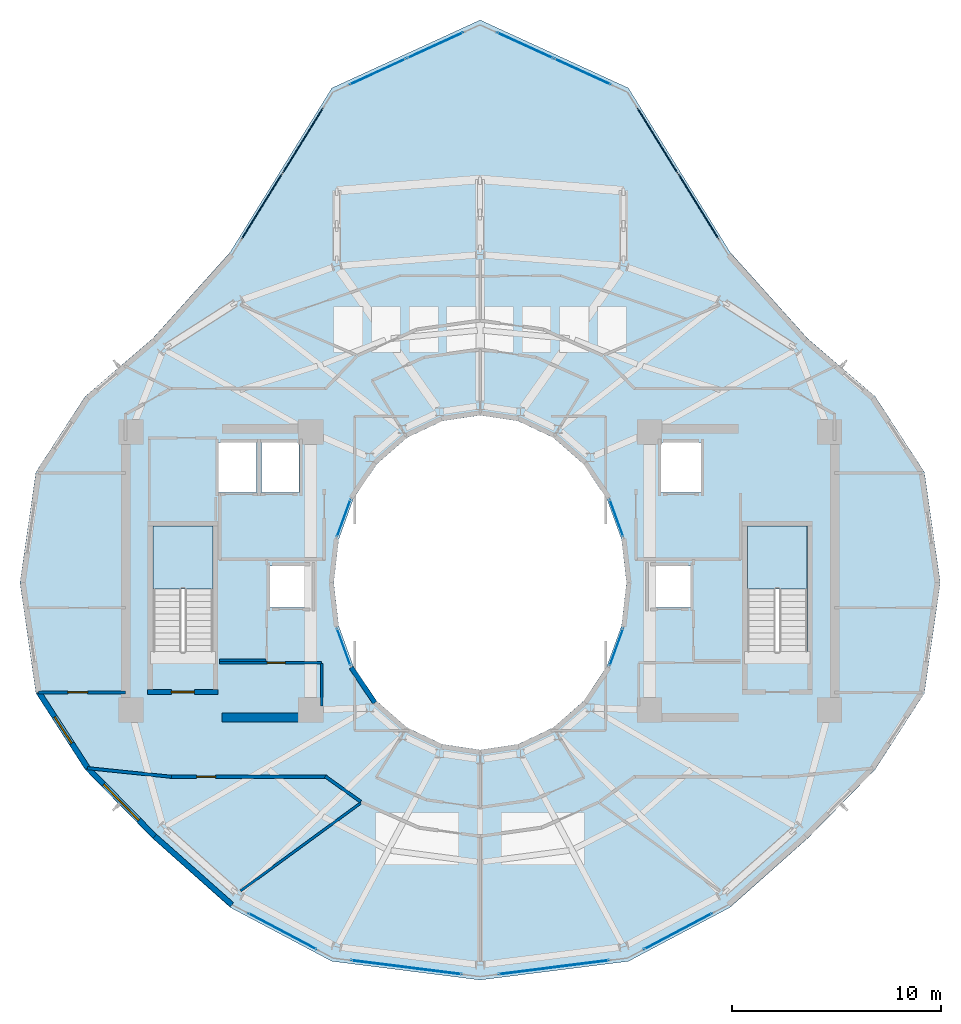
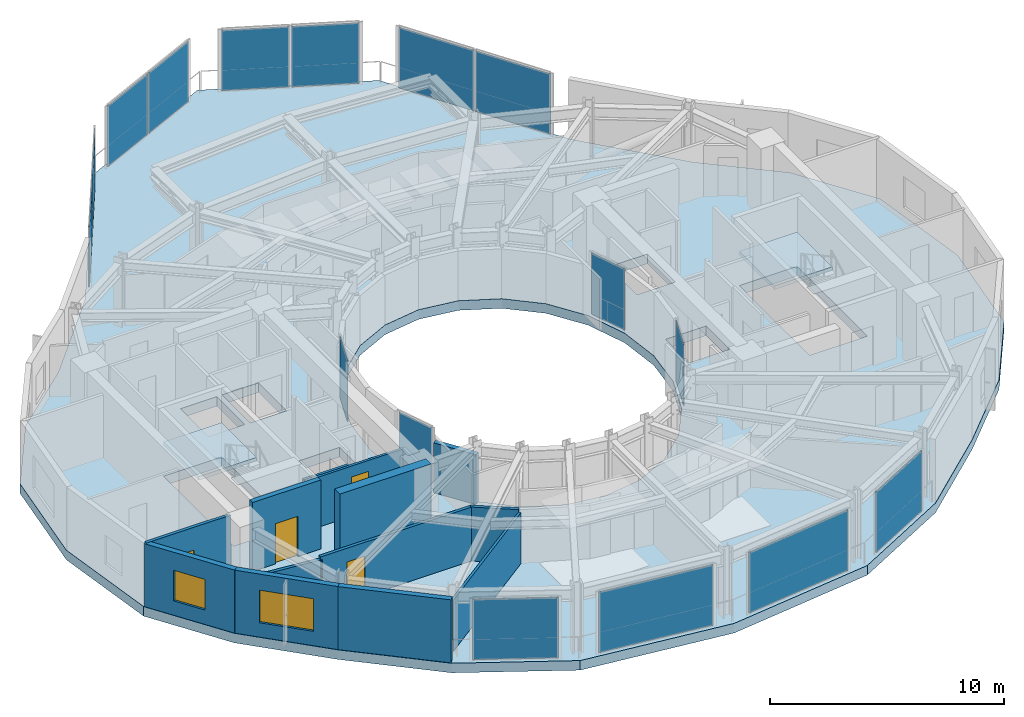
# One storey, part 17 of 25: 16 plates, 14 walls, 4 doors, 3 slabs, 2 windows, 6 openings, 14 elements without a shape of their own.
"""IFC4 building model written with IfcOpenShell, lengths in metres."""

from ifc_helpers import new_model, si_unit, direction, frame, frame_2d, origin, origin_2d, place, context, subcontext, project, spatial, polyline, rectangle, outline, extrude, material, layer, layer_set, type_object, element, fill, aggregate, save


model = new_model("IFC4")

# Units and contexts
model_context = context("Model", 3, precision=1e-05, world=origin(), true_north=direction((0.0, 1.0)))
body_context = subcontext(model_context, "Body", "Model", "MODEL_VIEW")
ifc_project = project(units=[si_unit("LENGTHUNIT", "METRE"), si_unit("AREAUNIT", "SQUARE_METRE"), si_unit("VOLUMEUNIT", "CUBIC_METRE"), si_unit("PLANEANGLEUNIT", "RADIAN"), si_unit("MASSUNIT", "GRAM", prefix="KILO")], contexts=[model_context])

# Site, building, storey
site_placement = place(None, origin())
site = spatial("IfcSite", under=ifc_project, at=site_placement, CompositionType="ELEMENT")
building_placement = place(site_placement, origin())
building = spatial("IfcBuilding", under=site, at=building_placement, Name="Solvane Sanctuary Tower", CompositionType="ELEMENT")
storey_placement = place(building_placement, frame((0.0, 0.0, 238.800048828125)))
storey = spatial("IfcBuildingStorey", under=building, at=storey_placement, Name="L73", CompositionType="ELEMENT", Elevation=238.800048828125)

# Curtain wall, plates
ifc_material_1 = material(Name="Anodised Aluminium 6063-T6", Category="aluminium")
ifc_layer_1 = layer(ifc_material_1, 0.18994140625, Name="Anodised Aluminium 6063-T6")
ifc_layer_set_1 = layer_set([ifc_layer_1], Name="Anodised Aluminium 6063-T6")
curtain_wall_type_1 = type_object("IfcCurtainWallType", Name="Curtain Wall CW-OPER", PredefinedType="NOTDEFINED", material=ifc_layer_set_1)
curtain_wall_1_placement = place(storey_placement, origin())
curtain_wall_1 = element("IfcCurtainWall", 1, at=curtain_wall_1_placement, inside=storey, type_object=curtain_wall_type_1, Name="L73 CW-OPER Facade Run 04", PredefinedType="NOTDEFINED")
ifc_material_2 = material(Name="Dark Ceramic-Fritted Low-E Glass", Category="glass")
ifc_layer_2 = layer(ifc_material_2, 0.0419921875, Name="Dark Ceramic-Fritted Low-E Glass")
ifc_layer_set_2 = layer_set([ifc_layer_2], Name="Dark Ceramic-Fritted Low-E Glass")
plate_type_1 = type_object("IfcPlateType", Name="Plate PN-OPER-VENT", PredefinedType="CURTAIN_PANEL", material=ifc_layer_set_2)
plate_1_placement = place(storey_placement, frame((42.437255859375, 40.978515625, 0.06494140625), z_axis=(0.0, 0.0, 1.0), x_axis=(-0.527391688453, 0.849622273102, 0.0)))
plate_1 = element("IfcPlate", 2, at=plate_1_placement, type_object=plate_type_1, Name="CW-OPER panel 1.1", PredefinedType="CURTAIN_PANEL", context=body_context, shape_type="SweptSolid", body=[
    extrude(rectangle(XDim=3.643798828125, YDim=0.0419921875, at=origin_2d()), origin(), (0.0, 0.0, 1.0), 3.14990234375),
])
plate_2_placement = place(storey_placement, frame((40.475830078125, 44.137939453125, 0.06494140625), z_axis=(0.0, 0.0, 1.0), x_axis=(-0.527391688453, 0.849622273102, 0.0)))
plate_2 = element("IfcPlate", 3, at=plate_2_placement, type_object=plate_type_1, Name="CW-OPER panel 2.1", PredefinedType="CURTAIN_PANEL", context=body_context, shape_type="SweptSolid", body=[
    extrude(rectangle(XDim=3.643798828125, YDim=0.0419921875, at=origin_2d()), origin(), (0.0, 0.0, 1.0), 3.14990234375),
])
aggregate(curtain_wall_1, [plate_1, plate_2])

curtain_wall_2_placement = place(storey_placement, origin())
curtain_wall_2 = element("IfcCurtainWall", 4, at=curtain_wall_2_placement, inside=storey, type_object=curtain_wall_type_1, Name="L73 CW-OPER Facade Run 05", PredefinedType="NOTDEFINED")
plate_3_placement = place(storey_placement, frame((36.892333984375, 47.430908203125, 0.06494140625), z_axis=(0.0, 0.0, 1.0), x_axis=(-0.909261677661, 0.416224941032, 0.0)))
plate_3 = element("IfcPlate", 5, at=plate_3_placement, type_object=plate_type_1, Name="CW-OPER panel 1.1", PredefinedType="CURTAIN_PANEL", context=body_context, shape_type="SweptSolid", body=[
    extrude(rectangle(XDim=2.9404296875, YDim=0.0419921875, at=origin_2d()), origin(), (0.0, 0.0, 1.0), 3.14990234375),
])
plate_4_placement = place(storey_placement, frame((34.150634765625, 48.68603515625, 0.06494140625), z_axis=(0.0, 0.0, 1.0), x_axis=(-0.909261677661, 0.416224941032, 0.0)))
plate_4 = element("IfcPlate", 6, at=plate_4_placement, type_object=plate_type_1, Name="CW-OPER panel 2.1", PredefinedType="CURTAIN_PANEL", context=body_context, shape_type="SweptSolid", body=[
    extrude(rectangle(XDim=2.9404296875, YDim=0.0419921875, at=origin_2d()), origin(), (0.0, 0.0, 1.0), 3.14990234375),
])
aggregate(curtain_wall_2, [plate_3, plate_4])

curtain_wall_3_placement = place(storey_placement, origin())
curtain_wall_3 = element("IfcCurtainWall", 7, at=curtain_wall_3_placement, inside=storey, type_object=curtain_wall_type_1, Name="L73 CW-OPER Facade Run 06", PredefinedType="NOTDEFINED")
plate_5_placement = place(storey_placement, frame((29.849365234375, 48.68603515625, 0.06494140625), z_axis=(0.0, 0.0, 1.0), x_axis=(-0.909261677661, -0.416224941032, 0.0)))
plate_5 = element("IfcPlate", 8, at=plate_5_placement, type_object=plate_type_1, Name="CW-OPER panel 1.1", PredefinedType="CURTAIN_PANEL", context=body_context, shape_type="SweptSolid", body=[
    extrude(rectangle(XDim=2.9404296875, YDim=0.0419921875, at=origin_2d()), origin(), (0.0, 0.0, 1.0), 3.14990234375),
])
plate_6_placement = place(storey_placement, frame((27.107666015625, 47.430908203125, 0.06494140625), z_axis=(0.0, 0.0, 1.0), x_axis=(-0.909261677661, -0.416224941032, 0.0)))
plate_6 = element("IfcPlate", 9, at=plate_6_placement, type_object=plate_type_1, Name="CW-OPER panel 2.1", PredefinedType="CURTAIN_PANEL", context=body_context, shape_type="SweptSolid", body=[
    extrude(rectangle(XDim=2.9404296875, YDim=0.0419921875, at=origin_2d()), origin(), (0.0, 0.0, 1.0), 3.14990234375),
])
aggregate(curtain_wall_3, [plate_5, plate_6])

curtain_wall_4_placement = place(storey_placement, origin())
curtain_wall_4 = element("IfcCurtainWall", 10, at=curtain_wall_4_placement, inside=storey, type_object=curtain_wall_type_1, Name="L73 CW-OPER Facade Run 07", PredefinedType="NOTDEFINED")
plate_7_placement = place(storey_placement, frame((23.524169921875, 44.137939453125, 0.06494140625), z_axis=(0.0, 0.0, 1.0), x_axis=(-0.527391688453, -0.849622273102, 0.0)))
plate_7 = element("IfcPlate", 11, at=plate_7_placement, type_object=plate_type_1, Name="CW-OPER panel 1.1", PredefinedType="CURTAIN_PANEL", context=body_context, shape_type="SweptSolid", body=[
    extrude(rectangle(XDim=3.643798828125, YDim=0.0419921875, at=origin_2d()), origin(), (0.0, 0.0, 1.0), 3.14990234375),
])
plate_8_placement = place(storey_placement, frame((21.562744140625, 40.978515625, 0.06494140625), z_axis=(0.0, 0.0, 1.0), x_axis=(-0.527391688453, -0.849622273102, 0.0)))
plate_8 = element("IfcPlate", 12, at=plate_8_placement, type_object=plate_type_1, Name="CW-OPER panel 2.1", PredefinedType="CURTAIN_PANEL", context=body_context, shape_type="SweptSolid", body=[
    extrude(rectangle(XDim=3.643798828125, YDim=0.0419921875, at=origin_2d()), origin(), (0.0, 0.0, 1.0), 3.14990234375),
])
aggregate(curtain_wall_4, [plate_7, plate_8])

# Curtain wall, plate
curtain_wall_5_placement = place(storey_placement, origin())
curtain_wall_5 = element("IfcCurtainWall", 13, at=curtain_wall_5_placement, inside=storey, type_object=curtain_wall_type_1, Name="L73 CW-OPER Facade Run 16", PredefinedType="NOTDEFINED")
plate_9_placement = place(storey_placement, frame((22.54345703125, 6.324462890625, 0.06494140625), z_axis=(0.0, 0.0, 1.0), x_axis=(0.883980752049, -0.467523293544, 0.0)))
plate_9 = element("IfcPlate", 14, at=plate_9_placement, type_object=plate_type_1, Name="CW-OPER panel 1.1", PredefinedType="CURTAIN_PANEL", context=body_context, shape_type="SweptSolid", body=[
    extrude(rectangle(XDim=3.670654296875, YDim=0.0419921875, at=origin_2d()), origin(), (0.0, 0.0, 1.0), 3.14990234375),
])
aggregate(curtain_wall_5, [plate_9])

curtain_wall_6_placement = place(storey_placement, origin())
curtain_wall_6 = element("IfcCurtainWall", 15, at=curtain_wall_6_placement, inside=storey, type_object=curtain_wall_type_1, Name="L73 CW-OPER Facade Run 17", PredefinedType="NOTDEFINED")
plate_10_placement = place(storey_placement, frame((28.478515625, 4.605224609375, 0.06494140625), z_axis=(0.0, 0.0, 1.0), x_axis=(0.992180050716, -0.124814850727, 0.0)))
plate_10 = element("IfcPlate", 16, at=plate_10_placement, type_object=plate_type_1, Name="CW-OPER panel 1.1", PredefinedType="CURTAIN_PANEL", context=body_context, shape_type="SweptSolid", body=[
    extrude(rectangle(XDim=5.30859375, YDim=0.0419921875, at=origin_2d()), origin(), (0.0, 0.0, 1.0), 3.14990234375),
])
aggregate(curtain_wall_6, [plate_10])

curtain_wall_7_placement = place(storey_placement, origin())
curtain_wall_7 = element("IfcCurtainWall", 17, at=curtain_wall_7_placement, inside=storey, type_object=curtain_wall_type_1, Name="L73 CW-OPER Facade Run 18", PredefinedType="NOTDEFINED")
plate_11_placement = place(storey_placement, frame((35.521484375, 4.605224609375, 0.06494140625), z_axis=(0.0, 0.0, 1.0), x_axis=(0.992180050716, 0.124814850727, 0.0)))
plate_11 = element("IfcPlate", 18, at=plate_11_placement, type_object=plate_type_1, Name="CW-OPER panel 1.1", PredefinedType="CURTAIN_PANEL", context=body_context, shape_type="SweptSolid", body=[
    extrude(rectangle(XDim=5.30859375, YDim=0.0419921875, at=origin_2d()), origin(), (0.0, 0.0, 1.0), 3.14990234375),
])
aggregate(curtain_wall_7, [plate_11])

curtain_wall_8_placement = place(storey_placement, origin())
curtain_wall_8 = element("IfcCurtainWall", 19, at=curtain_wall_8_placement, inside=storey, type_object=curtain_wall_type_1, Name="L73 CW-OPER Facade Run 19", PredefinedType="NOTDEFINED")
plate_12_placement = place(storey_placement, frame((41.45654296875, 6.324462890625, 0.06494140625), z_axis=(0.0, 0.0, 1.0), x_axis=(0.883980752049, 0.467523293544, 0.0)))
plate_12 = element("IfcPlate", 20, at=plate_12_placement, type_object=plate_type_1, Name="CW-OPER panel 1.1", PredefinedType="CURTAIN_PANEL", context=body_context, shape_type="SweptSolid", body=[
    extrude(rectangle(XDim=3.670654296875, YDim=0.0419921875, at=origin_2d()), origin(), (0.0, 0.0, 1.0), 3.14990234375),
])
aggregate(curtain_wall_8, [plate_12])

ifc_layer_3 = layer(ifc_material_1, 0.199951171875, Name="Anodised Aluminium 6063-T6")
ifc_layer_set_3 = layer_set([ifc_layer_3], Name="Anodised Aluminium 6063-T6")
curtain_wall_type_2 = type_object("IfcCurtainWallType", Name="Curtain Wall CW-WELL", PredefinedType="NOTDEFINED", material=ifc_layer_set_3)
curtain_wall_9_placement = place(storey_placement, origin())
curtain_wall_9 = element("IfcCurtainWall", 21, at=curtain_wall_9_placement, inside=storey, type_object=curtain_wall_type_2, Name="L73 Light-Well Glazed Curtain Wall 01", PredefinedType="NOTDEFINED")
ifc_material_3 = material(Name="Clear Laminated Light-Well Glass", Category="glass")
ifc_layer_4 = layer(ifc_material_3, 0.02392578125, Name="Clear Laminated Light-Well Glass")
ifc_layer_set_4 = layer_set([ifc_layer_4], Name="Clear Laminated Light-Well Glass")
plate_type_2 = type_object("IfcPlateType", Name="Plate PN-WELL-GLZ", PredefinedType="CURTAIN_PANEL", material=ifc_layer_set_4)
plate_13_placement = place(storey_placement, frame((38.521728515625, 26.080810546875, 0.06494140625), z_axis=(0.0, 0.0, 1.0), x_axis=(-0.341358483781, 0.939933181429, 0.0)))
plate_13 = element("IfcPlate", 22, at=plate_13_placement, type_object=plate_type_2, Name="CW-WELL panel 1.1", PredefinedType="CURTAIN_PANEL", context=body_context, shape_type="SweptSolid", body=[
    extrude(rectangle(XDim=1.853515625, YDim=0.02392578125, at=origin_2d()), origin(), (0.0, 0.0, 1.0), 3.18994140625),
])
aggregate(curtain_wall_9, [plate_13])

curtain_wall_10_placement = place(storey_placement, origin())
curtain_wall_10 = element("IfcCurtainWall", 23, at=curtain_wall_10_placement, inside=storey, type_object=curtain_wall_type_2, Name="L73 Light-Well Glazed Curtain Wall 10", PredefinedType="NOTDEFINED")
plate_14_placement = place(storey_placement, frame((25.478271484375, 26.080810546875, 0.06494140625), z_axis=(0.0, 0.0, 1.0), x_axis=(-0.341358483781, -0.939933181429, 0.0)))
plate_14 = element("IfcPlate", 24, at=plate_14_placement, type_object=plate_type_2, Name="CW-WELL panel 1.1", PredefinedType="CURTAIN_PANEL", context=body_context, shape_type="SweptSolid", body=[
    extrude(rectangle(XDim=1.853515625, YDim=0.02392578125, at=origin_2d()), origin(), (0.0, 0.0, 1.0), 3.18994140625),
])
aggregate(curtain_wall_10, [plate_14])

curtain_wall_11_placement = place(storey_placement, origin())
curtain_wall_11 = element("IfcCurtainWall", 25, at=curtain_wall_11_placement, inside=storey, type_object=curtain_wall_type_2, Name="L73 Light-Well Glazed Curtain Wall 13", PredefinedType="NOTDEFINED")
plate_15_placement = place(storey_placement, frame((25.478271484375, 19.919189453125, 0.06494140625), z_axis=(0.0, 0.0, 1.0), x_axis=(0.341358483781, -0.939933181429, 0.0)))
plate_15 = element("IfcPlate", 26, at=plate_15_placement, type_object=plate_type_2, Name="CW-WELL panel 1.1", PredefinedType="CURTAIN_PANEL", context=body_context, shape_type="SweptSolid", body=[
    extrude(rectangle(XDim=1.853515625, YDim=0.02392578125, at=origin_2d()), origin(), (0.0, 0.0, 1.0), 3.18994140625),
])
aggregate(curtain_wall_11, [plate_15])

curtain_wall_12_placement = place(storey_placement, origin())
curtain_wall_12 = element("IfcCurtainWall", 27, at=curtain_wall_12_placement, inside=storey, type_object=curtain_wall_type_2, Name="L73 Light-Well Glazed Curtain Wall 22", PredefinedType="NOTDEFINED")
plate_16_placement = place(storey_placement, frame((38.521728515625, 19.919189453125, 0.06494140625), z_axis=(0.0, 0.0, 1.0), x_axis=(0.341358483781, 0.939933181429, 0.0)))
plate_16 = element("IfcPlate", 28, at=plate_16_placement, type_object=plate_type_2, Name="CW-WELL panel 1.1", PredefinedType="CURTAIN_PANEL", context=body_context, shape_type="SweptSolid", body=[
    extrude(rectangle(XDim=1.853515625, YDim=0.02392578125, at=origin_2d()), origin(), (0.0, 0.0, 1.0), 3.18994140625),
])
aggregate(curtain_wall_12, [plate_16])

# Stair, slab
ifc_material_4 = material(Name="Concrete C45/55", Category="concrete")
stair_type = type_object("IfcStairType", Name="Stair ST-TOW", PredefinedType="HALF_TURN_STAIR", material=ifc_material_4)
stair_1_placement = place(storey_placement, origin())
stair_1 = element("IfcStair", 29, at=stair_1_placement, inside=storey, type_object=stair_type, Name="L73 Exit Stair ST-1 West Core", PredefinedType="HALF_TURN_STAIR")
ifc_layer_5 = layer(ifc_material_4, 0.199951171875, Name="Concrete C45/55")
ifc_layer_set_5 = layer_set([ifc_layer_5], Name="Concrete C45/55")
slab_type_1 = type_object("IfcSlabType", Name="Slab SL-LAND-180", PredefinedType="LANDING", material=ifc_layer_set_5)
slab_1_placement = place(storey_placement, frame((0.0, 0.0, 1.599853515625)))
slab_1 = element("IfcSlab", 30, at=slab_1_placement, type_object=slab_type_1, Name="ST-1 landing 1", PredefinedType="LANDING", context=body_context, shape_type="SweptSolid", body=[
    extrude(outline(polyline([(19.219970703125, 22.699951171875), (19.219970703125, 25.699951171875), (16.360107421875, 25.699951171875), (16.360107421875, 22.699951171875), (19.219970703125, 22.699951171875)])), origin(), (0.0, 0.0, 1.0), 0.2001953125),
])
aggregate(stair_1, [slab_1])

stair_2_placement = place(storey_placement, origin())
stair_2 = element("IfcStair", 31, at=stair_2_placement, inside=storey, type_object=stair_type, Name="L73 Exit Stair ST-2 East Core", PredefinedType="HALF_TURN_STAIR")
slab_2_placement = place(storey_placement, frame((0.0, 0.0, 1.599853515625)))
slab_2 = element("IfcSlab", 32, at=slab_2_placement, type_object=slab_type_1, Name="ST-2 landing 1", PredefinedType="LANDING", context=body_context, shape_type="SweptSolid", body=[
    extrude(outline(polyline([(47.639892578125, 22.699951171875), (47.639892578125, 25.699951171875), (44.780029296875, 25.699951171875), (44.780029296875, 22.699951171875), (47.639892578125, 22.699951171875)])), origin(), (0.0, 0.0, 1.0), 0.2001953125),
])
aggregate(stair_2, [slab_2])

# Slab
ifc_material_5 = material(Name="Concrete C60/75", Category="concrete")
ifc_layer_6 = layer(ifc_material_5, 0.5, Name="Concrete C60/75")
ifc_layer_set_6 = layer_set([ifc_layer_6], Name="Concrete C60/75")
slab_type_2 = type_object("IfcSlabType", Name="Slab SL-XFER-500", PredefinedType="FLOOR", material=ifc_layer_set_6)
slab_3_placement = place(storey_placement, frame((0.0, 0.0, -0.5)))
element("IfcSlab", 33, at=slab_3_placement, inside=storey, type_object=slab_type_2, Name="L73 Primary Structural Slab", PredefinedType="FLOOR", context=body_context, shape_type="SweptSolid", body=[
    extrude(outline(polyline([(54.0, 23.0), (53.239990234375, 28.283935546875), (50.881103515625, 31.9052734375), (47.6572265625, 34.671875), (43.946044921875, 38.804931640625), (39.088134765625, 46.648193359375), (32.0, 49.89990234375), (24.911865234375, 46.648193359375), (20.053955078125, 38.804931640625), (16.3427734375, 34.671875), (13.118896484375, 31.9052734375), (10.760009765625, 28.283935546875), (10.0, 23.0), (10.760009765625, 17.716064453125), (13.118896484375, 14.056884765625), (16.3427734375, 10.7666015625), (20.053955078125, 7.46826171875), (24.911865234375, 4.8935546875), (32.0, 4.0), (39.088134765625, 4.8935546875), (43.946044921875, 7.46826171875), (47.6572265625, 10.7666015625), (50.881103515625, 14.056884765625), (53.239990234375, 17.716064453125), (54.0, 23.0)]), holes=[polyline([(38.761474609375, 20.929443359375), (38.062255859375, 19.0), (36.94970703125, 17.343017578125), (35.5, 16.07177734375), (33.811767578125, 15.272705078125), (32.0, 15.0), (30.188232421875, 15.272705078125), (28.5, 16.07177734375), (27.05029296875, 17.343017578125), (25.937744140625, 19.0), (25.238525390625, 20.929443359375), (25.0, 23.0), (25.238525390625, 25.070556640625), (25.937744140625, 27.0), (27.05029296875, 28.656982421875), (28.5, 29.92822265625), (30.188232421875, 30.727294921875), (32.0, 31.0), (33.811767578125, 30.727294921875), (35.5, 29.92822265625), (36.94970703125, 28.656982421875), (38.062255859375, 27.0), (38.761474609375, 25.070556640625), (39.0, 23.0), (38.761474609375, 20.929443359375)]), polyline([(16.360107421875, 19.699951171875), (16.360107421875, 25.699951171875), (19.219970703125, 25.699951171875), (19.219970703125, 19.699951171875), (16.360107421875, 19.699951171875)]), polyline([(44.780029296875, 19.699951171875), (44.780029296875, 25.699951171875), (47.639892578125, 25.699951171875), (47.639892578125, 19.699951171875), (44.780029296875, 19.699951171875)]), polyline([(21.949951171875, 23.800048828125), (23.949951171875, 23.800048828125), (23.949951171875, 21.800048828125), (21.949951171875, 21.800048828125), (21.949951171875, 23.800048828125)]), polyline([(40.050048828125, 23.800048828125), (42.050048828125, 23.800048828125), (42.050048828125, 21.800048828125), (40.050048828125, 21.800048828125), (40.050048828125, 23.800048828125)]), polyline([(19.5, 29.699951171875), (21.300048828125, 29.699951171875), (21.300048828125, 27.300048828125), (19.5, 27.300048828125), (19.5, 29.699951171875)]), polyline([(21.550048828125, 29.699951171875), (23.35009765625, 29.699951171875), (23.35009765625, 27.300048828125), (21.550048828125, 27.300048828125), (21.550048828125, 29.699951171875)]), polyline([(40.64990234375, 29.699951171875), (42.550048828125, 29.699951171875), (42.550048828125, 27.300048828125), (40.64990234375, 27.300048828125), (40.64990234375, 29.699951171875)])]), origin(), (0.0, 0.0, 1.0), 0.5),
])

# Wall
ifc_material_6 = material(Name="Concrete C50/60", Category="concrete")
ifc_layer_7 = layer(ifc_material_6, 0.449951171875, Name="Concrete C50/60")
ifc_layer_set_7 = layer_set([ifc_layer_7], Name="Concrete C50/60")
wall_type_1 = type_object("IfcWallType", Name="Wall W-CORE-450", PredefinedType="SHEAR", material=ifc_layer_set_7)
wall_1_placement = place(storey_placement, frame((19.64990234375, 16.550048828125, 0.0), z_axis=(0.0, 0.0, 1.0), x_axis=(1.0, 0.0, 0.0)))
element("IfcWall", 34, at=wall_1_placement, inside=storey, type_object=wall_type_1, Name="L73 Core Shear Wall WC-S", PredefinedType="SHEAR", context=body_context, shape_type="SweptSolid", body=[
    extrude(rectangle(XDim=4.5, YDim=0.449951171875, at=frame_2d((2.25, 0.0))), origin(), (0.0, 0.0, 1.0), 3.599853515625),
])

# Wall, opening, door
ifc_material_7 = material(Name="Acoustic Gypsum Partition Board")
ifc_layer_8 = layer(ifc_material_7, 0.14990234375, Name="Acoustic Gypsum Partition Board")
ifc_layer_set_8 = layer_set([ifc_layer_8], Name="Acoustic Gypsum Partition Board")
wall_type_2 = type_object("IfcWallType", Name="Wall W-CORR-150", PredefinedType="PARTITIONING", material=ifc_layer_set_8)
wall_2_placement = place(storey_placement, frame((10.87548828125, 17.754638671875, 0.0), z_axis=(0.0, 0.0, 1.0), x_axis=(1.0, 0.0, 0.0)))
wall_2 = element("IfcWall", 35, at=wall_2_placement, inside=storey, type_object=wall_type_2, Name="L73 West Shoulder South Wall", PredefinedType="PARTITIONING", context=body_context, shape_type="SweptSolid", body=[
    extrude(rectangle(XDim=4.174560546875, YDim=0.14990234375, at=frame_2d((2.08740234375, 0.0))), origin(), (0.0, 0.0, 1.0), 3.294921875),
])
opening_1_placement = place(wall_2_placement, frame((1.407470703125, 0.0, 0.0)))
opening_1 = element("IfcOpeningElement", 36, at=opening_1_placement, cuts=wall_2, Name="Opening D-L73-16", PredefinedType="OPENING", context=body_context, shape_type="SweptSolid", body=[
    extrude(rectangle(XDim=0.949951171875, YDim=2.10009765625, at=frame_2d((0.47509765625, 1.050048828125))), frame((0.0, 0.0849609375, 0.0), z_axis=(0.0, -1.0, 0.0), x_axis=(1.0, 0.0, 0.0)), (0.0, 0.0, 1.0), 0.169921875),
])
ifc_material_8 = material(Name="Engineered Tropical Hardwood", Category="wood")
door_type_1 = type_object("IfcDoorType", Name="Door D-ROOM-950", OperationType="NOTDEFINED", PredefinedType="DOOR", material=ifc_material_8)
door_1_placement = place(opening_1_placement, origin())
door_1 = element("IfcDoor", 37, at=door_1_placement, inside=storey, type_object=door_type_1, Name="L73 West Shoulder South Door", OperationType="SINGLE_SWING_RIGHT", OverallHeight=2.10009765625, OverallWidth=0.949951171875, PredefinedType="DOOR", context=body_context, shape_type="SweptSolid", body=[
    extrude(rectangle(XDim=0.949951171875, YDim=2.10009765625, at=frame_2d((0.47509765625, 1.050048828125))), frame((0.0, 0.02490234375, 0.0), z_axis=(0.0, -1.0, 0.0), x_axis=(1.0, 0.0, 0.0)), (0.0, 0.0, 1.0), 0.050048828125),
])
fill(opening_1, door_1)

# Wall
wall_3_placement = place(storey_placement, frame((26.290283203125, 12.527099609375, 0.0), z_axis=(0.0, 0.0, 1.0), x_axis=(-0.813780999276, 0.581171648669, 0.0)))
element("IfcWall", 38, at=wall_3_placement, inside=storey, type_object=wall_type_2, Name="L73 SW Corner Throat Wall", PredefinedType="PARTITIONING", context=body_context, shape_type="SweptSolid", body=[
    extrude(rectangle(XDim=2.082275390625, YDim=0.14990234375, at=frame_2d((1.041015625, 0.0))), origin(), (0.0, 0.0, 1.0), 2.81591796875),
])

# Wall, opening, door
wall_4_placement = place(storey_placement, frame((17.14990234375, 13.719970703125, 0.0), z_axis=(0.0, 0.0, 1.0), x_axis=(1.0, 0.0, 0.0)))
wall_4 = element("IfcWall", 39, at=wall_4_placement, inside=storey, type_object=wall_type_2, Name="L73 SW Corner Corridor Wall", PredefinedType="PARTITIONING", context=body_context, shape_type="SweptSolid", body=[
    extrude(rectangle(XDim=7.52001953125, YDim=0.14990234375, at=frame_2d((3.760009765625, 0.0))), origin(), (0.0, 0.0, 1.0), 2.81591796875),
])
opening_2_placement = place(wall_4_placement, frame((1.300048828125, 0.0, 0.0)))
opening_2 = element("IfcOpeningElement", 40, at=opening_2_placement, cuts=wall_4, Name="Opening D-L73-22", PredefinedType="OPENING", context=body_context, shape_type="SweptSolid", body=[
    extrude(rectangle(XDim=0.89990234375, YDim=2.10009765625, at=frame_2d((0.449951171875, 1.050048828125))), frame((0.0, 0.0849609375, 0.0), z_axis=(0.0, -1.0, 0.0), x_axis=(1.0, 0.0, 0.0)), (0.0, 0.0, 1.0), 0.169921875),
])
door_type_2 = type_object("IfcDoorType", Name="Door D-WET-900", OperationType="NOTDEFINED", PredefinedType="DOOR", material=ifc_material_8)
door_2_placement = place(opening_2_placement, origin())
door_2 = element("IfcDoor", 41, at=door_2_placement, inside=storey, type_object=door_type_2, Name="L73 SW Corner Salon Door", OperationType="SINGLE_SWING_RIGHT", OverallHeight=2.10009765625, OverallWidth=0.89990234375, PredefinedType="DOOR", context=body_context, shape_type="SweptSolid", body=[
    extrude(rectangle(XDim=0.89990234375, YDim=2.10009765625, at=frame_2d((0.449951171875, 1.050048828125))), frame((0.0, 0.02490234375, 0.0), z_axis=(0.0, -1.0, 0.0), x_axis=(1.0, 0.0, 0.0)), (0.0, 0.0, 1.0), 0.050048828125),
])
fill(opening_2, door_2)

# Wall
wall_5_placement = place(storey_placement, frame((17.249755859375, 13.71484375, 0.0), z_axis=(0.0, 0.0, 1.0), x_axis=(-0.994734711466, 0.102483431859, 0.0)))
element("IfcWall", 42, at=wall_5_placement, inside=storey, type_object=wall_type_2, Name="L73 SW Corner Wing Wall", PredefinedType="PARTITIONING", context=body_context, shape_type="SweptSolid", body=[
    extrude(rectangle(XDim=4.04736328125, YDim=0.14990234375, at=frame_2d((2.023681640625, 0.0))), origin(), (0.0, 0.0, 1.0), 2.659912109375),
])

# Wall, opening, window
ifc_material_9 = material(Name="Precast concrete C40/50", Category="concrete")
ifc_layer_9 = layer(ifc_material_9, 0.260009765625, Name="Precast concrete C40/50")
ifc_layer_set_9 = layer_set([ifc_layer_9], Name="Precast concrete C40/50")
wall_type_3 = type_object("IfcWallType", Name="Wall W-EXT-250", PredefinedType="STANDARD", material=ifc_layer_set_9)
wall_6_placement = place(storey_placement, frame((10.895263671875, 17.76123046875, 0.0), z_axis=(0.0, 0.0, 1.0), x_axis=(0.542641766008, -0.839964233634, 0.0)))
wall_6 = element("IfcWall", 43, at=wall_6_placement, inside=storey, type_object=wall_type_3, Name="L73 Ceramic-Printed Facade Wall 13", PredefinedType="STANDARD", context=body_context, shape_type="SweptSolid", body=[
    extrude(rectangle(XDim=4.319091796875, YDim=0.260009765625, at=frame_2d((2.15966796875, 0.0))), origin(), (0.0, 0.0, 1.0), 3.2900390625),
])
opening_3_placement = place(wall_6_placement, frame((1.40966796875, 0.0, 0.75)))
opening_3 = element("IfcOpeningElement", 44, at=opening_3_placement, cuts=wall_6, Name="Opening WN-OPER-1500", PredefinedType="OPENING", context=body_context, shape_type="SweptSolid", body=[
    extrude(rectangle(XDim=1.5, YDim=1.60009765625, at=frame_2d((0.75, 0.800048828125))), frame((0.0, 0.139892578125, 0.0), z_axis=(0.0, -1.0, 0.0), x_axis=(1.0, 0.0, 0.0)), (0.0, 0.0, 1.0), 0.280029296875),
])
window_type_1 = type_object("IfcWindowType", Name="Window WN-OPER-1500", PartitioningType="SINGLE_PANEL", PredefinedType="WINDOW", material=ifc_material_2)
window_1_placement = place(opening_3_placement, origin())
window_1 = element("IfcWindow", 45, at=window_1_placement, inside=storey, type_object=window_type_1, Name="L73 Operable Facade Window 13", OverallHeight=1.60009765625, OverallWidth=1.5, PartitioningType="SINGLE_PANEL", PredefinedType="WINDOW", context=body_context, shape_type="SweptSolid", body=[
    extrude(rectangle(XDim=1.5, YDim=1.60009765625, at=frame_2d((0.75, 0.800048828125))), frame((0.0, 0.030029296875, 0.0), z_axis=(0.0, -1.0, 0.0), x_axis=(1.0, 0.0, 0.0)), (0.0, 0.0, 1.0), 0.06005859375),
])
fill(opening_3, window_1)

wall_7_placement = place(storey_placement, frame((13.239013671875, 14.13330078125, 0.0), z_axis=(0.0, 0.0, 1.0), x_axis=(0.700642973333, -0.713512034881, 0.0)))
wall_7 = element("IfcWall", 46, at=wall_7_placement, inside=storey, type_object=wall_type_3, Name="L73 Ceramic-Printed Facade Wall 14", PredefinedType="STANDARD", context=body_context, shape_type="SweptSolid", body=[
    extrude(rectangle(XDim=4.572021484375, YDim=0.260009765625, at=frame_2d((2.2861328125, 0.0))), origin(), (0.0, 0.0, 1.0), 3.2900390625),
])
opening_4_placement = place(wall_7_placement, frame((1.0859375, 0.0, 0.75)))
opening_4 = element("IfcOpeningElement", 47, at=opening_4_placement, cuts=wall_7, Name="Opening WN-RIB-2400", PredefinedType="OPENING", context=body_context, shape_type="SweptSolid", body=[
    extrude(rectangle(XDim=2.39990234375, YDim=1.699951171875, at=frame_2d((1.199951171875, 0.85009765625))), frame((0.0, 0.139892578125, 0.0), z_axis=(0.0, -1.0, 0.0), x_axis=(1.0, 0.0, 0.0)), (0.0, 0.0, 1.0), 0.280029296875),
])
window_type_2 = type_object("IfcWindowType", Name="Window WN-RIB-2400", PartitioningType="SINGLE_PANEL", PredefinedType="WINDOW", material=ifc_material_2)
window_2_placement = place(opening_4_placement, origin())
window_2 = element("IfcWindow", 48, at=window_2_placement, inside=storey, type_object=window_type_2, Name="L73 Operable Facade Window 14", OverallHeight=1.699951171875, OverallWidth=2.39990234375, PartitioningType="SINGLE_PANEL", PredefinedType="WINDOW", context=body_context, shape_type="SweptSolid", body=[
    extrude(rectangle(XDim=2.39990234375, YDim=1.699951171875, at=frame_2d((1.199951171875, 0.85009765625))), frame((0.0, 0.030029296875, 0.0), z_axis=(0.0, -1.0, 0.0), x_axis=(1.0, 0.0, 0.0)), (0.0, 0.0, 1.0), 0.06005859375),
])
fill(opening_4, window_2)

# Walls
wall_8_placement = place(storey_placement, frame((16.4423828125, 10.87109375, 0.0), z_axis=(0.0, 0.0, 1.0), x_axis=(0.748165854006, -0.663511759428, 0.0)))
element("IfcWall", 49, at=wall_8_placement, inside=storey, type_object=wall_type_3, Name="L73 Ceramic-Printed Facade Wall 15", PredefinedType="STANDARD", context=body_context, shape_type="SweptSolid", body=[
    extrude(rectangle(XDim=4.9287109375, YDim=0.260009765625, at=frame_2d((2.46435546875, 0.0))), origin(), (0.0, 0.0, 1.0), 3.2900390625),
])
ifc_layer_10 = layer(ifc_material_9, 0.22998046875, Name="Precast concrete C40/50")
ifc_layer_set_10 = layer_set([ifc_layer_10], Name="Precast concrete C40/50")
wall_type_4 = type_object("IfcWallType", Name="Wall W-EXT-SP220", PredefinedType="STANDARD", material=ifc_layer_set_10)
wall_9_placement = place(storey_placement, frame((25.833984375, 18.93994140625, 0.0), z_axis=(0.0, 0.0, 1.0), x_axis=(0.558197800898, -0.829707909492, 0.0)))
element("IfcWall", 50, at=wall_9_placement, inside=storey, type_object=wall_type_4, Name="L73 Central Light-Well Wall 14", PredefinedType="STANDARD", context=body_context, shape_type="SweptSolid", body=[
    extrude(rectangle(XDim=2.02685546875, YDim=0.22998046875, at=frame_2d((1.013427734375, 0.0))), origin(), (0.0, 0.0, 1.0), 2.599853515625),
])
ifc_layer_11 = layer(ifc_material_7, 0.1201171875, Name="Acoustic Gypsum Partition Board")
ifc_layer_set_11 = layer_set([ifc_layer_11], Name="Acoustic Gypsum Partition Board")
wall_type_5 = type_object("IfcWallType", Name="Wall W-MOV-100", PredefinedType="MOVABLE", material=ifc_layer_set_11)
wall_10_placement = place(storey_placement, frame((26.29052734375, 12.462646484375, 0.0), z_axis=(0.0, 0.0, 1.0), x_axis=(-0.807095694912, -0.590420646027, 0.0)))
element("IfcWall", 51, at=wall_10_placement, inside=storey, type_object=wall_type_5, Name="L73 Sky Hall Radial Partition 240", PredefinedType="MOVABLE", context=body_context, shape_type="SweptSolid", body=[
    extrude(rectangle(XDim=7.118896484375, YDim=0.1201171875, at=frame_2d((3.5595703125, 0.0))), origin(), (0.0, 0.0, 1.0), 2.659912109375),
])

# Wall, opening, door
ifc_layer_12 = layer(ifc_material_7, 0.125, Name="Acoustic Gypsum Partition Board")
ifc_layer_set_12 = layer_set([ifc_layer_12], Name="Acoustic Gypsum Partition Board")
wall_type_6 = type_object("IfcWallType", Name="Wall W-PART-125", PredefinedType="PARTITIONING", material=ifc_layer_set_12)
wall_11_placement = place(storey_placement, frame((19.550048828125, 19.159912109375, 0.0), z_axis=(0.0, 0.0, 1.0), x_axis=(1.0, 0.0, 0.0)))
wall_11 = element("IfcWall", 52, at=wall_11_placement, inside=storey, type_object=wall_type_6, Name="L73 Reclaimed Room Partition PLW", PredefinedType="PARTITIONING", context=body_context, shape_type="SweptSolid", body=[
    extrude(rectangle(XDim=4.869873046875, YDim=0.125, at=frame_2d((2.43505859375, 0.0))), origin(), (0.0, 0.0, 1.0), 2.619873046875),
])
opening_5_placement = place(wall_11_placement, frame((2.271728515625, 0.0, 0.0)))
opening_5 = element("IfcOpeningElement", 53, at=opening_5_placement, cuts=wall_11, Name="Opening D-L73-05", PredefinedType="OPENING", context=body_context, shape_type="SweptSolid", body=[
    extrude(rectangle(XDim=0.85009765625, YDim=2.050048828125, at=frame_2d((0.425048828125, 1.02490234375))), frame((0.0, 0.072509765625, 0.0), z_axis=(0.0, -1.0, 0.0), x_axis=(1.0, 0.0, 0.0)), (0.0, 0.0, 1.0), 0.14501953125),
])
ifc_material_10 = material(Name="Architectural Stainless Steel 316", Category="steel")
door_type_3 = type_object("IfcDoorType", Name="Door D-RISER", OperationType="NOTDEFINED", PredefinedType="DOOR", material=ifc_material_10)
door_3_placement = place(opening_5_placement, origin())
door_3 = element("IfcDoor", 54, at=door_3_placement, inside=storey, type_object=door_type_3, Name="L73 Reclaimed Room Door PLW-1", OperationType="SINGLE_SWING_LEFT", OverallHeight=2.050048828125, OverallWidth=0.85009765625, PredefinedType="DOOR", context=body_context, shape_type="SweptSolid", body=[
    extrude(rectangle(XDim=0.85009765625, YDim=2.050048828125, at=frame_2d((0.425048828125, 1.02490234375))), frame((0.0, 0.02490234375, 0.0), z_axis=(0.0, -1.0, 0.0), x_axis=(1.0, 0.0, 0.0)), (0.0, 0.0, 1.0), 0.050048828125),
])
fill(opening_5, door_3)

# Walls
wall_12_placement = place(storey_placement, frame((24.419921875, 17.10009765625, 0.0), z_axis=(0.0, 0.0, 1.0), x_axis=(0.0, 1.0, 0.0)))
element("IfcWall", 55, at=wall_12_placement, inside=storey, type_object=wall_type_6, Name="L73 Reclaimed Room Closer Wall PLW-1", PredefinedType="PARTITIONING", context=body_context, shape_type="SweptSolid", body=[
    extrude(rectangle(XDim=2.039794921875, YDim=0.125, at=frame_2d((1.02001953125, 0.0))), origin(), (0.0, 0.0, 1.0), 2.671875),
])
wall_13_placement = place(storey_placement, frame((19.550048828125, 19.280029296875, 0.0), z_axis=(0.0, 0.0, 1.0), x_axis=(1.0, 0.0, 0.0)))
element("IfcWall", 56, at=wall_13_placement, inside=storey, type_object=wall_type_6, Name="L73 Reclaimed Room Closer Wall PMW-1", PredefinedType="PARTITIONING", context=body_context, shape_type="SweptSolid", body=[
    extrude(rectangle(XDim=2.2099609375, YDim=0.125, at=frame_2d((1.10498046875, 0.0))), origin(), (0.0, 0.0, 1.0), 2.619873046875),
])

# Wall, opening, door
ifc_layer_13 = layer(ifc_material_6, 0.25, Name="Concrete C50/60")
ifc_layer_set_13 = layer_set([ifc_layer_13], Name="Concrete C50/60")
wall_type_7 = type_object("IfcWallType", Name="Wall W-SHAFT-250", PredefinedType="SOLIDWALL", material=ifc_layer_set_13)
wall_14_placement = place(storey_placement, frame((16.10498046875, 17.77001953125, 0.0), z_axis=(0.0, 0.0, 1.0), x_axis=(1.0, 0.0, 0.0)))
wall_14 = element("IfcWall", 57, at=wall_14_placement, inside=storey, type_object=wall_type_7, Name="L73 ST-1 Load-Bearing Shaft Wall S", PredefinedType="SOLIDWALL", context=body_context, shape_type="SweptSolid", body=[
    extrude(rectangle(XDim=3.3701171875, YDim=0.25, at=frame_2d((1.68505859375, 0.0))), origin(), (0.0, 0.0, 1.0), 3.599853515625),
])
opening_6_placement = place(wall_14_placement, frame((1.135009765625, 0.0, 0.0)))
opening_6 = element("IfcOpeningElement", 58, at=opening_6_placement, cuts=wall_14, Name="Opening D-L73-01", PredefinedType="OPENING", context=body_context, shape_type="SweptSolid", body=[
    extrude(rectangle(XDim=1.10009765625, YDim=2.10009765625, at=frame_2d((0.550048828125, 1.050048828125))), frame((0.0, 0.135009765625, 0.0), z_axis=(0.0, -1.0, 0.0), x_axis=(1.0, 0.0, 0.0)), (0.0, 0.0, 1.0), 0.27001953125),
])
door_type_4 = type_object("IfcDoorType", Name="Door D-STAIR", OperationType="NOTDEFINED", PredefinedType="DOOR", material=ifc_material_10)
door_4_placement = place(opening_6_placement, origin())
door_4 = element("IfcDoor", 59, at=door_4_placement, inside=storey, type_object=door_type_4, Name="L73 ST-1 Exit Stair Fire Door", OperationType="SINGLE_SWING_LEFT", OverallHeight=2.10009765625, OverallWidth=1.10009765625, PredefinedType="DOOR", context=body_context, shape_type="SweptSolid", body=[
    extrude(rectangle(XDim=1.10009765625, YDim=2.10009765625, at=frame_2d((0.550048828125, 1.050048828125))), frame((0.0, 0.02490234375, 0.0), z_axis=(0.0, -1.0, 0.0), x_axis=(1.0, 0.0, 0.0)), (0.0, 0.0, 1.0), 0.050048828125),
])
fill(opening_6, door_4)

save(model, "model.ifc")
